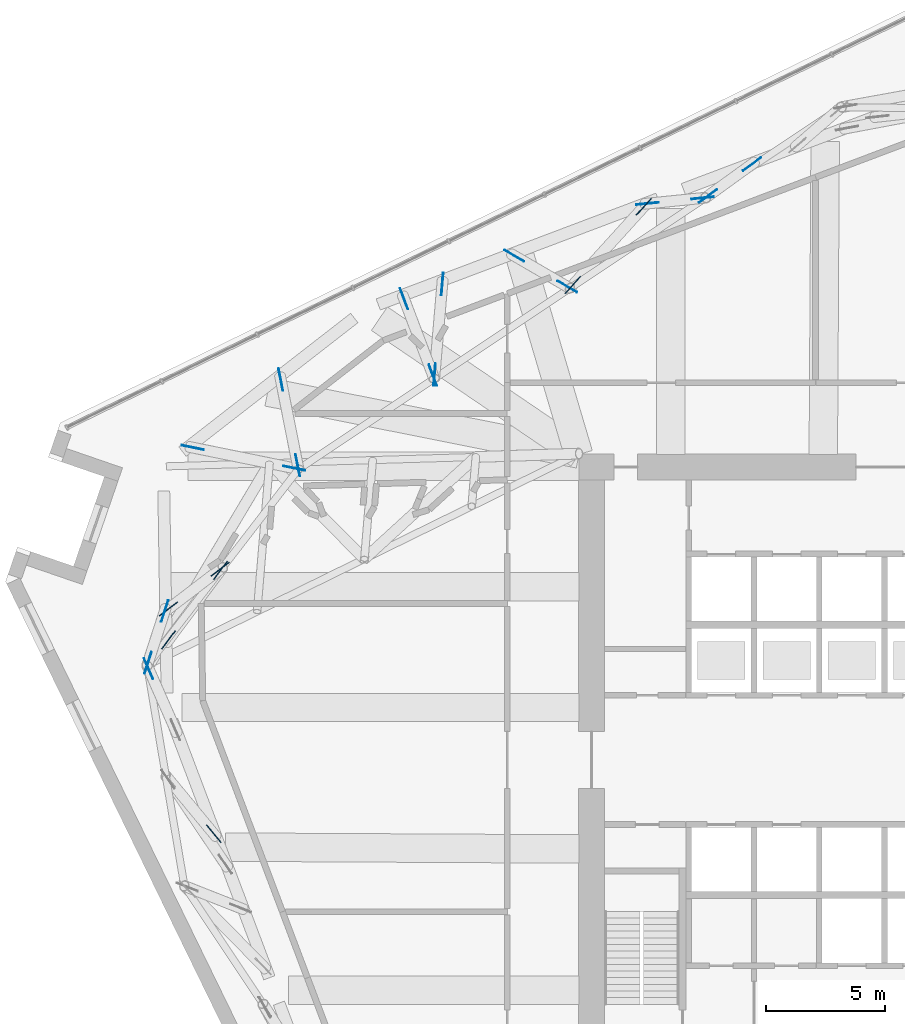
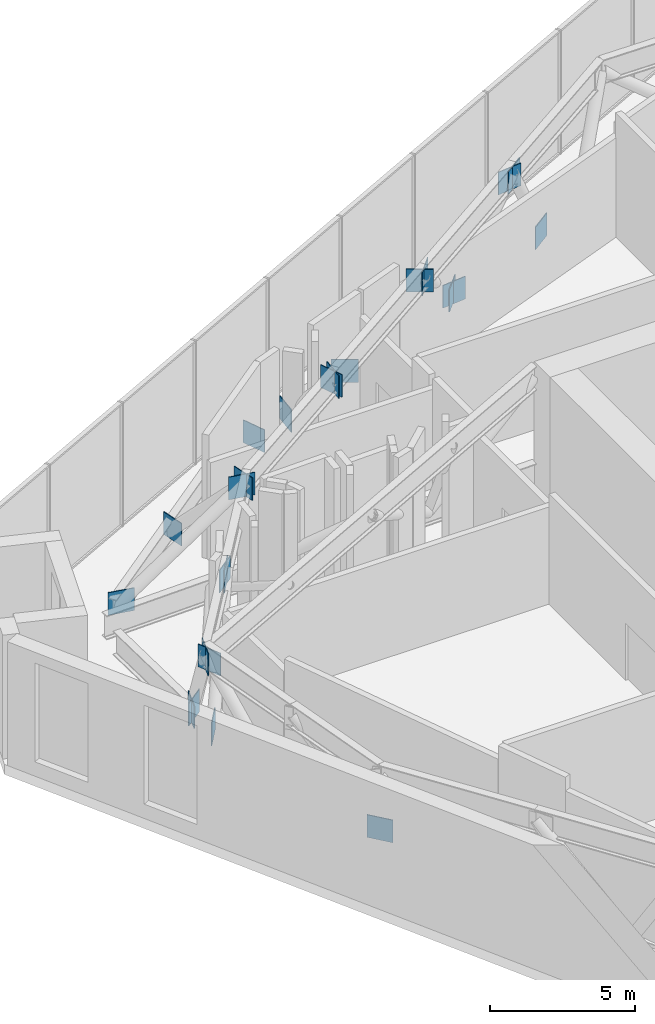
# One storey, part 17 of 21: 24 discrete accessories.
"""IFC4 building model written with IfcOpenShell, lengths in metres."""

from ifc_helpers import new_model, si_unit, direction, frame, origin, origin_2d, place, context, subcontext, project, spatial, rectangle, extrude, material, layer, layer_set, type_object, element, save


model = new_model("IFC4")

# Units and contexts
model_context = context("Model", 3, precision=1e-05, world=origin(), true_north=direction((0.0, 1.0)))
body_context = subcontext(model_context, "Body", "Model", "MODEL_VIEW")
ifc_project = project(units=[si_unit("LENGTHUNIT", "METRE"), si_unit("AREAUNIT", "SQUARE_METRE"), si_unit("VOLUMEUNIT", "CUBIC_METRE"), si_unit("PLANEANGLEUNIT", "RADIAN"), si_unit("MASSUNIT", "GRAM", prefix="KILO")], contexts=[model_context])

# Site, building, storey
site_placement = place(None, origin())
site = spatial("IfcSite", under=ifc_project, at=site_placement, CompositionType="ELEMENT")
building_placement = place(site_placement, origin())
building = spatial("IfcBuilding", under=site, at=building_placement, Name="Dilmun Exchange Tower", CompositionType="ELEMENT")
storey_placement = place(building_placement, frame((0.0, 0.0, 130.10009765625)))
storey = spatial("IfcBuildingStorey", under=building, at=storey_placement, Name="L30", CompositionType="ELEMENT", Elevation=130.10009765625)

# Discrete accessories
ifc_material = material(Name="Steel S355J2", Category="steel")
ifc_layer = layer(ifc_material, 0.034912109375)
ifc_layer_set = layer_set([ifc_layer], Name="Steel S355J2")
discrete_accessory_type = type_object("IfcDiscreteAccessoryType", Name="Gusset plate 35 x 950 x 950", PredefinedType="BRACKET", material=ifc_layer_set)
for number, where, z_axis, x_axis, name in (
    (1, (-7.662109375, 23.6865234375, 4.0185546875), (0.0, 0.0, 1.0), (-0.994925937507, -0.10061003367, 0.0), "Gusset plate L30-DG07 end 1"),
    (2, (-9.988037109375, 23.451171875, 0.22705078125), (0.0, 0.0, 1.0), (-0.994925937507, -0.10061003367, 0.0), "Gusset plate L30-DG07 end 2"),
    (3, (-7.4384765625, 23.77099609375, 4.017578125), (0.0, 0.0, 1.0), (0.809996607893, 0.586434561739, 0.0), "Gusset plate L30-DG08 end 1"),
    (4, (-5.5810546875, 25.11572265625, 0.22802734375), (0.0, 0.0, 1.0), (0.809996607893, 0.586434561739, 0.0), "Gusset plate L30-DG08 end 2"),
    (5, (-13.135986328125, 20.01953125, 4.06787109375), (0.0, 0.0, 1.0), (0.6719390683, 0.740606432927, 0.0), "Gusset plate L30-DG09 end 1"),
    (6, (-10.14794921875, 23.31298828125, 0.318359375), (0.0, 0.0, 1.0), (0.6719390683, 0.740606432927, 0.0), "Gusset plate L30-DG09 end 2"),
    (7, (-13.373291015625, 19.9521484375, 4.0244140625), (0.0, 0.0, 1.0), (-0.864462619846, 0.502697104515, 0.0), "Gusset plate L30-DG10 end 1"),
    (8, (-15.6083984375, 21.251708984375, 0.22119140625), (0.0, 0.0, 1.0), (-0.864462619846, 0.502697104515, 0.0), "Gusset plate L30-DG10 end 2"),
    (9, (-19.034423828125, 16.2197265625, 4.0439453125), (0.0, 0.0, 1.0), (-0.353367086018, 0.935484742003, 0.0), "Gusset plate L30-DG11 end 1"),
    (10, (-20.250732421875, 19.439453125, 0.20166015625), (0.0, 0.0, 1.0), (-0.353367086018, 0.935484742003, 0.0), "Gusset plate L30-DG11 end 2"),
    (11, (-18.964111328125, 16.23828125, 4.05224609375), (0.0, 0.0, 1.0), (0.085328236319, 0.996352895357, 0.0), "Gusset plate L30-DG12 end 1"),
    (12, (-18.63720703125, 20.056884765625, 0.193359375), (0.0, 0.0, 1.0), (0.085328236319, 0.996352895357, 0.0), "Gusset plate L30-DG12 end 2"),
    (13, (-24.873046875, 12.29345703125, 4.06298828125), (0.0, 0.0, 1.0), (-0.979933750642, 0.199323466639, 0.0), "Gusset plate L30-DG13 end 1"),
    (14, (-29.154296875, 13.164306640625, 0.1826171875), (0.0, 0.0, 1.0), (-0.979933750642, 0.199323466639, 0.0), "Gusset plate L30-DG13 end 2"),
    (15, (-24.73095703125, 12.4189453125, 4.04931640625), (0.0, 0.0, 1.0), (-0.194275441203, 0.980947018419, 0.0), "Gusset plate L30-DG14 end 1"),
    (16, (-25.4462890625, 16.031982421875, 0.19677734375), (0.0, 0.0, 1.0), (-0.194275441203, 0.980947018419, 0.0), "Gusset plate L30-DG14 end 2"),
    (17, (-27.98681640625, 7.989013671875, 4.048828125), (0.0, 0.0, 1.0), (-0.599064126405, -0.800701050614, 0.0), "Gusset plate L30-DG15 end 1"),
    (18, (-30.1767578125, 5.062255859375, 0.197265625), (0.0, 0.0, 1.0), (-0.599064126405, -0.800701050614, 0.0), "Gusset plate L30-DG15 end 2"),
    (19, (-27.99951171875, 8.03564453125, 4.0283203125), (0.0, 0.0, 1.0), (-0.794688038258, -0.607018057268, 0.0), "Gusset plate L30-DG16 end 1"),
    (20, (-30.185791015625, 6.365478515625, 0.21728515625), (0.0, 0.0, 1.0), (-0.794688038258, -0.607018057268, 0.0), "Gusset plate L30-DG16 end 2"),
    (21, (-31.02197265625, 3.8525390625, 4.0302734375), (0.0, 0.0, 1.0), (0.403106100773, -0.915153250292, 0.0), "Gusset plate L30-DG17 end 1"),
    (22, (-31.041259765625, 4.098876953125, 4.017578125), (0.0, 0.0, 1.0), (0.307922911664, 0.95141130983, 0.0), "Gusset plate L30-DG18 end 1"),
    (23, (-30.3359375, 6.27783203125, 0.22802734375), (0.0, 0.0, 1.0), (0.307922911664, 0.95141130983, 0.0), "Gusset plate L30-DG18 end 2"),
    (24, (-28.26953125, -3.117919921875, 0.2109375), (0.0, 0.0, 1.0), (0.636631566291, -0.771168106707, 0.0), "Gusset plate L30-DG19 end 2"),
):
    element("IfcDiscreteAccessory", number, at=place(storey_placement, frame(where, z_axis=z_axis, x_axis=x_axis)), inside=storey, type_object=discrete_accessory_type, Name=name, PredefinedType="BRACKET", context=body_context, shape_type="SweptSolid", body=[
        extrude(rectangle(XDim=0.949951171875, YDim=0.034912109375, at=origin_2d()), origin(), (0.0, 0.0, 1.0), 0.949951171875),
    ])

save(model, "model.ifc")
